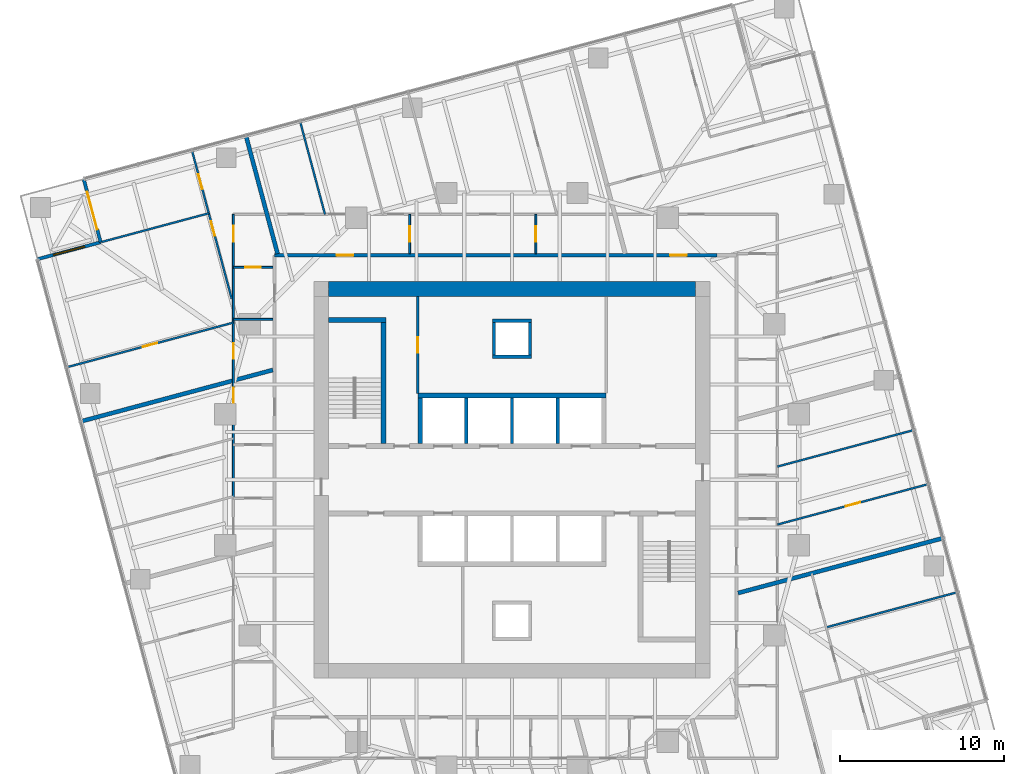
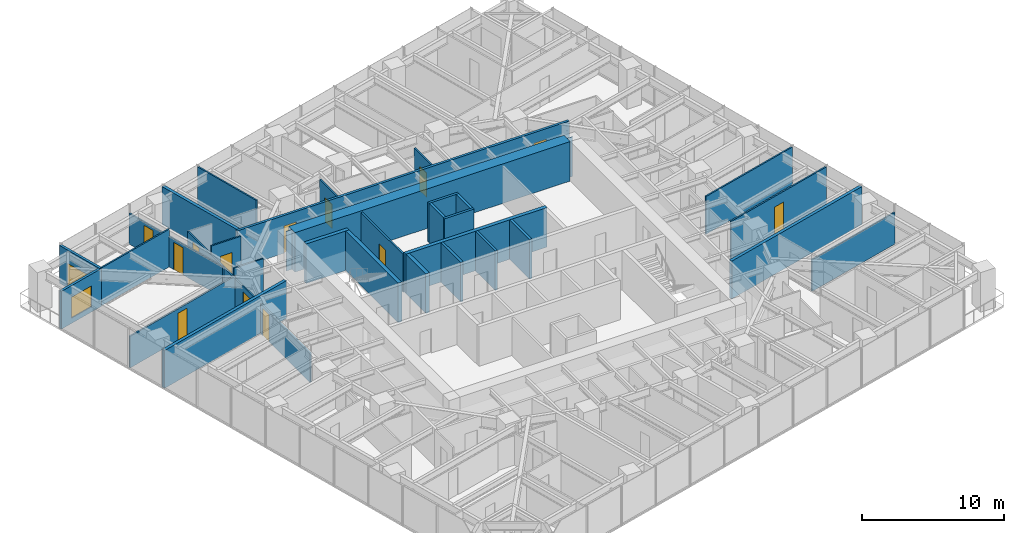
# One storey, part 11 of 14: 31 walls, 14 doors, 1 window, 15 openings.
"""IFC4 building model written with IfcOpenShell, lengths in metres."""

from ifc_helpers import new_model, si_unit, direction, frame, frame_2d, origin, place, context, subcontext, project, spatial, polyline, rectangle, outline, extrude, material, layer, layer_set, type_object, element, fill, save


model = new_model("IFC4")

# Units and contexts
model_context = context("Model", 3, precision=1e-05, world=origin(), true_north=direction((0.0, 1.0)))
body_context = subcontext(model_context, "Body", "Model", "MODEL_VIEW")
ifc_project = project(units=[si_unit("LENGTHUNIT", "METRE"), si_unit("AREAUNIT", "SQUARE_METRE"), si_unit("VOLUMEUNIT", "CUBIC_METRE"), si_unit("PLANEANGLEUNIT", "RADIAN"), si_unit("MASSUNIT", "GRAM", prefix="KILO")], contexts=[model_context])

# Site, building, storey
site_placement = place(None, origin())
site = spatial("IfcSite", under=ifc_project, at=site_placement, CompositionType="ELEMENT")
building_placement = place(site_placement, origin())
building = spatial("IfcBuilding", under=site, at=building_placement, Name="Torsade Residences", CompositionType="ELEMENT")
storey_placement = place(building_placement, frame((0.0, 0.0, 121.800048828125)))
storey = spatial("IfcBuildingStorey", under=building, at=storey_placement, Name="L33", CompositionType="ELEMENT", Elevation=121.800048828125)

# Walls
ifc_material_1 = material(Name="Concrete 80 MPa", Category="concrete")
ifc_layer_1 = layer(ifc_material_1, 0.300048828125)
ifc_layer_set_1 = layer_set([ifc_layer_1], Name="Concrete 80 MPa")
wall_type_1 = type_object("IfcWallType", Name="CORE INTERNAL WALL 300", PredefinedType="SHEAR", material=ifc_layer_set_1)
wall_1_placement = place(storey_placement, frame((34.25, 35.14990234375, 0.0), z_axis=(0.0, 0.0, 1.0), x_axis=(1.0, 0.0, 0.0)))
element("IfcWall", 1, at=wall_1_placement, inside=storey, type_object=wall_type_1, Name="Core wall BN L33", PredefinedType="SHEAR", context=body_context, shape_type="SweptSolid", body=[
    extrude(rectangle(XDim=11.5, YDim=0.300048828125, at=frame_2d((5.75, 0.0))), origin(), (0.0, 0.0, 1.0), 3.39990234375),
])
wall_2_placement = place(storey_placement, frame((34.39990234375, 32.199951171875, 0.0), z_axis=(0.0, 0.0, 1.0), x_axis=(0.0, 1.0, 0.0)))
element("IfcWall", 2, at=wall_2_placement, inside=storey, type_object=wall_type_1, Name="Core wall DN0 L33", PredefinedType="SHEAR", context=body_context, shape_type="SweptSolid", body=[
    extrude(rectangle(XDim=2.800048828125, YDim=0.300048828125, at=frame_2d((1.39990234375, 0.0))), origin(), (0.0, 0.0, 1.0), 3.39990234375),
])
wall_3_placement = place(storey_placement, frame((32.14990234375, 32.199951171875, 0.0), z_axis=(0.0, 0.0, 1.0), x_axis=(0.0, 1.0, 0.0)))
element("IfcWall", 3, at=wall_3_placement, inside=storey, type_object=wall_type_1, Name="Core wall ST1E L33", PredefinedType="SHEAR", context=body_context, shape_type="SweptSolid", body=[
    extrude(rectangle(XDim=7.699951171875, YDim=0.300048828125, at=frame_2d((3.85009765625, 0.0))), origin(), (0.0, 0.0, 1.0), 3.39990234375),
])
wall_4_placement = place(storey_placement, frame((28.800048828125, 39.75, 0.0), z_axis=(0.0, 0.0, 1.0), x_axis=(1.0, 0.0, 0.0)))
element("IfcWall", 4, at=wall_4_placement, inside=storey, type_object=wall_type_1, Name="Core wall ST1N L33", PredefinedType="SHEAR", context=body_context, shape_type="SweptSolid", body=[
    extrude(rectangle(XDim=3.5, YDim=0.300048828125, at=frame_2d((1.75, 0.0))), origin(), (0.0, 0.0, 1.0), 3.39990234375),
])
ifc_material_2 = material(Name="Concrete 80 MPa", Category="concrete")
ifc_layer_2 = layer(ifc_material_2, 0.89990234375)
ifc_layer_set_2 = layer_set([ifc_layer_2], Name="Concrete 80 MPa")
wall_type_2 = type_object("IfcWallType", Name="CORE WALL 900", PredefinedType="SHEAR", material=ifc_layer_set_2)
wall_5_placement = place(storey_placement, frame((28.800048828125, 41.64990234375, 0.0), z_axis=(0.0, 0.0, 1.0), x_axis=(1.0, 0.0, 0.0)))
element("IfcWall", 5, at=wall_5_placement, inside=storey, type_object=wall_type_2, Name="Core wall N L33", PredefinedType="SHEAR", context=body_context, shape_type="SweptSolid", body=[
    extrude(outline(polyline([(0.0, -0.449951171875), (22.39990234375, -0.449951171875), (22.39990234375, -0.02490234375), (22.849853515625, -0.02490234375), (22.849853515625, 0.02490234375), (22.39990234375, 0.02490234375), (22.39990234375, 0.449951171875), (0.0, 0.449951171875), (0.0, 0.02490234375), (-0.449951171875, 0.02490234375), (-0.449951171875, -0.02490234375), (0.0, -0.02490234375), (0.0, -0.449951171875)])), origin(), (0.0, 0.0, 1.0), 3.39990234375),
])

# Wall, openings, doors
ifc_material_3 = material(Name="Plasterboard on steel stud", Category="steel")
ifc_layer_3 = layer(ifc_material_3, 0.199951171875)
ifc_layer_set_3 = layer_set([ifc_layer_3], Name="Plasterboard on steel stud")
wall_type_3 = type_object("IfcWallType", Name="CORRIDOR WALL 200", PredefinedType="PARTITIONING", material=ifc_layer_set_3)
wall_6_placement = place(storey_placement, frame((52.52001953125, 43.699951171875, 0.0), z_axis=(0.0, 0.0, 1.0), x_axis=(-1.0, 0.0, 0.0)))
wall_6 = element("IfcWall", 6, at=wall_6_placement, inside=storey, type_object=wall_type_3, Name="Corridor wall L33", PredefinedType="PARTITIONING", context=body_context, shape_type="SweptSolid", body=[
    extrude(rectangle(XDim=27.02001953125, YDim=0.199951171875, at=frame_2d((13.510009765625, 0.0))), origin(), (0.0, 0.0, 1.0), 3.25),
])
opening_1_placement = place(wall_6_placement, frame((22.2080078125, 0.0, 0.0)))
opening_1 = element("IfcOpeningElement", 7, at=opening_1_placement, cuts=wall_6, Name="Opening D01", PredefinedType="OPENING", context=body_context, shape_type="SweptSolid", body=[
    extrude(rectangle(XDim=1.02001953125, YDim=2.340087890625, at=frame_2d((0.510009765625, 1.169921875))), frame((0.0, 0.10986328125, 0.0), z_axis=(0.0, -1.0, 0.0), x_axis=(1.0, 0.0, 0.0)), (0.0, 0.0, 1.0), 0.219970703125),
])
opening_2_placement = place(wall_6_placement, frame((1.855712890625, 0.0, 0.0)))
opening_2 = element("IfcOpeningElement", 8, at=opening_2_placement, cuts=wall_6, Name="Opening D01", PredefinedType="OPENING", context=body_context, shape_type="SweptSolid", body=[
    extrude(rectangle(XDim=1.02001953125, YDim=2.340087890625, at=frame_2d((0.510009765625, 1.169921875))), frame((0.0, 0.10986328125, 0.0), z_axis=(0.0, -1.0, 0.0), x_axis=(1.0, 0.0, 0.0)), (0.0, 0.0, 1.0), 0.219970703125),
])
ifc_material_4 = material(Name="Solid-core timber fire door", Category="wood")
door_type_1 = type_object("IfcDoorType", Name="APARTMENT ENTRY DOOR 1020x2340", OperationType="NOTDEFINED", PredefinedType="DOOR", material=ifc_material_4)
door_1_placement = place(opening_1_placement, origin())
door_1 = element("IfcDoor", 9, at=door_1_placement, inside=storey, type_object=door_type_1, Name="Door Residential corridor to Kitchen and dining", OperationType="SINGLE_SWING_LEFT", OverallHeight=2.340087890625, OverallWidth=1.02001953125, PredefinedType="DOOR", context=body_context, shape_type="SweptSolid", body=[
    extrude(rectangle(XDim=1.02001953125, YDim=2.340087890625, at=frame_2d((0.510009765625, 1.169921875))), frame((0.0, 0.02490234375, 0.0), z_axis=(0.0, -1.0, 0.0), x_axis=(1.0, 0.0, 0.0)), (0.0, 0.0, 1.0), 0.050048828125),
])
fill(opening_1, door_1)
door_2_placement = place(opening_2_placement, origin())
door_2 = element("IfcDoor", 10, at=door_2_placement, inside=storey, type_object=door_type_1, Name="Door Residential corridor to Kitchen and dining", OperationType="SINGLE_SWING_RIGHT", OverallHeight=2.340087890625, OverallWidth=1.02001953125, PredefinedType="DOOR", context=body_context, shape_type="SweptSolid", body=[
    extrude(rectangle(XDim=1.02001953125, YDim=2.340087890625, at=frame_2d((0.510009765625, 1.169921875))), frame((0.0, 0.02490234375, 0.0), z_axis=(0.0, -1.0, 0.0), x_axis=(1.0, 0.0, 0.0)), (0.0, 0.0, 1.0), 0.050048828125),
])
fill(opening_2, door_2)

# Walls
ifc_material_5 = material(Name="Reinforced blockwork", Category="masonry")
ifc_layer_4 = layer(ifc_material_5, 0.199951171875)
ifc_layer_set_4 = layer_set([ifc_layer_4], Name="Reinforced blockwork")
wall_type_4 = type_object("IfcWallType", Name="LIFT SHAFT DIVIDING WALL 200", PredefinedType="SOLIDWALL", material=ifc_layer_set_4)
for number, where, z_axis, x_axis, name in (
    (11, (37.199951171875, 32.199951171875, 0.0), (0.0, 0.0, 1.0), (0.0, 1.0, 0.0), "Core wall DN1 L33"),
    (12, (40.0, 32.199951171875, 0.0), (0.0, 0.0, 1.0), (0.0, 1.0, 0.0), "Core wall DN2 L33"),
    (13, (42.800048828125, 32.199951171875, 0.0), (0.0, 0.0, 1.0), (0.0, 1.0, 0.0), "Core wall DN3 L33"),
):
    element("IfcWall", number, at=place(storey_placement, frame(where, z_axis=z_axis, x_axis=x_axis)), inside=storey, type_object=wall_type_4, Name=name, PredefinedType="SOLIDWALL", context=body_context, shape_type="SweptSolid", body=[
        extrude(rectangle(XDim=2.800048828125, YDim=0.199951171875, at=frame_2d((1.39990234375, 0.0))), origin(), (0.0, 0.0, 1.0), 3.39990234375),
    ])
ifc_material_6 = material(Name="Plasterboard on steel stud", Category="steel")
ifc_layer_5 = layer(ifc_material_6, 0.1201171875)
ifc_layer_set_5 = layer_set([ifc_layer_5], Name="Plasterboard on steel stud")
wall_type_5 = type_object("IfcWallType", Name="PARTITION 120", PredefinedType="PARTITIONING", material=ifc_layer_set_5)
wall_7_placement = place(storey_placement, frame((67.163818359375, 23.129638671875, 0.0), z_axis=(0.0, 0.0, 1.0), x_axis=(-0.965929470378, -0.258805444794, 0.0)))
element("IfcWall", 14, at=wall_7_placement, inside=storey, type_object=wall_type_5, Name="Partition L33", PredefinedType="PARTITIONING", context=body_context, shape_type="SweptSolid", body=[
    extrude(rectangle(XDim=8.269287109375, YDim=0.1201171875, at=frame_2d((4.134765625, 0.0))), origin(), (0.0, 0.0, 1.0), 2.721923828125),
])

# Wall, opening, door
wall_8_placement = place(storey_placement, frame((56.199951171875, 27.266357421875, 0.0), z_axis=(0.0, 0.0, 1.0), x_axis=(0.965926072385, 0.25881812666, 0.0)))
wall_8 = element("IfcWall", 15, at=wall_8_placement, inside=storey, type_object=wall_type_5, Name="Partition L33", PredefinedType="PARTITIONING", context=body_context, shape_type="SweptSolid", body=[
    extrude(rectangle(XDim=9.519775390625, YDim=0.1201171875, at=frame_2d((4.759765625, 0.0))), origin(), (0.0, 0.0, 1.0), 3.25),
])
opening_3_placement = place(wall_8_placement, frame((4.31982421875, 0.0, 0.0)))
opening_3 = element("IfcOpeningElement", 16, at=opening_3_placement, cuts=wall_8, Name="Opening D02", PredefinedType="OPENING", context=body_context, shape_type="SweptSolid", body=[
    extrude(rectangle(XDim=0.919921875, YDim=2.340087890625, at=frame_2d((0.4599609375, 1.169921875))), frame((0.0, 0.070068359375, 0.0), z_axis=(0.0, -1.0, 0.0), x_axis=(1.0, 0.0, 0.0)), (0.0, 0.0, 1.0), 0.14013671875),
])
ifc_material_7 = material(Name="Hollow-core timber door", Category="wood")
door_type_2 = type_object("IfcDoorType", Name="INTERNAL DOOR 920x2340", OperationType="NOTDEFINED", PredefinedType="DOOR", material=ifc_material_7)
door_3_placement = place(opening_3_placement, origin())
door_3 = element("IfcDoor", 17, at=door_3_placement, inside=storey, type_object=door_type_2, Name="Door Living room to Bedroom 1", OperationType="SINGLE_SWING_LEFT", OverallHeight=2.340087890625, OverallWidth=0.919921875, PredefinedType="DOOR", context=body_context, shape_type="SweptSolid", body=[
    extrude(rectangle(XDim=0.919921875, YDim=2.340087890625, at=frame_2d((0.4599609375, 1.169921875))), frame((0.0, 0.02490234375, 0.0), z_axis=(0.0, -1.0, 0.0), x_axis=(1.0, 0.0, 0.0)), (0.0, 0.0, 1.0), 0.050048828125),
])
fill(opening_3, door_3)

# Wall
wall_9_placement = place(storey_placement, frame((56.199951171875, 30.803466796875, 0.0), z_axis=(0.0, 0.0, 1.0), x_axis=(0.965920565748, 0.258838676912, 0.0)))
element("IfcWall", 18, at=wall_9_placement, inside=storey, type_object=wall_type_5, Name="Partition L33", PredefinedType="PARTITIONING", context=body_context, shape_type="SweptSolid", body=[
    extrude(rectangle(XDim=8.60400390625, YDim=0.1201171875, at=frame_2d((4.302001953125, 0.0))), origin(), (0.0, 0.0, 1.0), 3.25),
])

# Wall, opening, door
wall_10_placement = place(storey_placement, frame((33.754150390625, 46.199951171875, 0.0), z_axis=(0.0, 0.0, 1.0), x_axis=(0.0, -1.0, 0.0)))
wall_10 = element("IfcWall", 19, at=wall_10_placement, inside=storey, type_object=wall_type_5, Name="Partition L33", PredefinedType="PARTITIONING", context=body_context, shape_type="SweptSolid", body=[
    extrude(rectangle(XDim=2.39990234375, YDim=0.1201171875, at=frame_2d((1.199951171875, 0.0))), origin(), (0.0, 0.0, 1.0), 3.25),
])
opening_4_placement = place(wall_10_placement, frame((0.719970703125, 0.0, 0.0)))
opening_4 = element("IfcOpeningElement", 20, at=opening_4_placement, cuts=wall_10, Name="Opening D05", PredefinedType="OPENING", context=body_context, shape_type="SweptSolid", body=[
    extrude(rectangle(XDim=0.9599609375, YDim=2.10009765625, at=frame_2d((0.47998046875, 1.050048828125))), frame((0.0, 0.070068359375, 0.0), z_axis=(0.0, -1.0, 0.0), x_axis=(1.0, 0.0, 0.0)), (0.0, 0.0, 1.0), 0.14013671875),
])
ifc_material_8 = material(Name="Hollow-core timber door in a steel cavity frame", Category="steel")
door_type_3 = type_object("IfcDoorType", Name="BATHROOM CAVITY SLIDING DOOR 960", OperationType="SLIDING_TO_LEFT", PredefinedType="DOOR", material=ifc_material_8)
door_4_placement = place(opening_4_placement, origin())
door_4 = element("IfcDoor", 21, at=door_4_placement, inside=storey, type_object=door_type_3, Name="Door Kitchen and dining to Bathroom", OperationType="SLIDING_TO_LEFT", OverallHeight=2.10009765625, OverallWidth=0.9599609375, PredefinedType="DOOR", context=body_context, shape_type="SweptSolid", body=[
    extrude(rectangle(XDim=0.9599609375, YDim=2.10009765625, at=frame_2d((0.47998046875, 1.050048828125))), frame((0.0, 0.02490234375, 0.0), z_axis=(0.0, -1.0, 0.0), x_axis=(1.0, 0.0, 0.0)), (0.0, 0.0, 1.0), 0.050048828125),
])
fill(opening_4, door_4)

wall_11_placement = place(storey_placement, frame((41.45263671875, 46.199951171875, 0.0), z_axis=(0.0, 0.0, 1.0), x_axis=(0.0, -1.0, 0.0)))
wall_11 = element("IfcWall", 22, at=wall_11_placement, inside=storey, type_object=wall_type_5, Name="Partition L33", PredefinedType="PARTITIONING", context=body_context, shape_type="SweptSolid", body=[
    extrude(rectangle(XDim=2.39990234375, YDim=0.1201171875, at=frame_2d((1.199951171875, 0.0))), origin(), (0.0, 0.0, 1.0), 3.25),
])
opening_5_placement = place(wall_11_placement, frame((0.719970703125, 0.0, 0.0)))
opening_5 = element("IfcOpeningElement", 23, at=opening_5_placement, cuts=wall_11, Name="Opening D05", PredefinedType="OPENING", context=body_context, shape_type="SweptSolid", body=[
    extrude(rectangle(XDim=0.9599609375, YDim=2.10009765625, at=frame_2d((0.47998046875, 1.050048828125))), frame((0.0, 0.070068359375, 0.0), z_axis=(0.0, -1.0, 0.0), x_axis=(1.0, 0.0, 0.0)), (0.0, 0.0, 1.0), 0.14013671875),
])
door_5_placement = place(opening_5_placement, origin())
door_5 = element("IfcDoor", 24, at=door_5_placement, inside=storey, type_object=door_type_3, Name="Door Bathroom to Ensuite", OperationType="SLIDING_TO_LEFT", OverallHeight=2.10009765625, OverallWidth=0.9599609375, PredefinedType="DOOR", context=body_context, shape_type="SweptSolid", body=[
    extrude(rectangle(XDim=0.9599609375, YDim=2.10009765625, at=frame_2d((0.47998046875, 1.050048828125))), frame((0.0, 0.02490234375, 0.0), z_axis=(0.0, -1.0, 0.0), x_axis=(1.0, 0.0, 0.0)), (0.0, 0.0, 1.0), 0.050048828125),
])
fill(opening_5, door_5)

# Walls
wall_12_placement = place(storey_placement, frame((28.584716796875, 46.199951171875, 0.0), z_axis=(0.0, 0.0, 1.0), x_axis=(-0.258790947109, 0.965933354686, 0.0)))
element("IfcWall", 25, at=wall_12_placement, inside=storey, type_object=wall_type_5, Name="Partition L33", PredefinedType="PARTITIONING", context=body_context, shape_type="SweptSolid", body=[
    extrude(rectangle(XDim=5.857421875, YDim=0.1201171875, at=frame_2d((2.9287109375, 0.0))), origin(), (0.0, 0.0, 1.0), 3.25),
])
wall_13_placement = place(storey_placement, frame((25.39990234375, 39.79541015625, 0.0), z_axis=(0.0, 0.0, 1.0), x_axis=(-1.0, 0.0, 0.0)))
element("IfcWall", 26, at=wall_13_placement, inside=storey, type_object=wall_type_5, Name="Partition L33", PredefinedType="PARTITIONING", context=body_context, shape_type="SweptSolid", body=[
    extrude(rectangle(XDim=2.39990234375, YDim=0.1201171875, at=frame_2d((1.199951171875, 0.0))), origin(), (0.0, 0.0, 1.0), 3.25),
])

# Wall, openings, doors
wall_14_placement = place(storey_placement, frame((23.0, 28.93017578125, 0.0), z_axis=(0.0, 0.0, 1.0), x_axis=(0.0, 1.0, 0.0)))
wall_14 = element("IfcWall", 27, at=wall_14_placement, inside=storey, type_object=wall_type_5, Name="Partition L33", PredefinedType="PARTITIONING", context=body_context, shape_type="SweptSolid", body=[
    extrude(rectangle(XDim=17.269775390625, YDim=0.1201171875, at=frame_2d((8.634765625, 0.0))), origin(), (0.0, 0.0, 1.0), 2.550048828125),
])
opening_6_placement = place(wall_14_placement, frame((5.771728515625, 0.0, 0.0)))
opening_6 = element("IfcOpeningElement", 28, at=opening_6_placement, cuts=wall_14, Name="Opening D02", PredefinedType="OPENING", context=body_context, shape_type="SweptSolid", body=[
    extrude(rectangle(XDim=0.919921875, YDim=2.340087890625, at=frame_2d((0.4599609375, 1.169921875))), frame((0.0, 0.070068359375, 0.0), z_axis=(0.0, -1.0, 0.0), x_axis=(1.0, 0.0, 0.0)), (0.0, 0.0, 1.0), 0.14013671875),
])
opening_7_placement = place(wall_14_placement, frame((15.5986328125, 0.0, 0.0)))
opening_7 = element("IfcOpeningElement", 29, at=opening_7_placement, cuts=wall_14, Name="Opening D05", PredefinedType="OPENING", context=body_context, shape_type="SweptSolid", body=[
    extrude(rectangle(XDim=0.9599609375, YDim=2.10009765625, at=frame_2d((0.47998046875, 1.050048828125))), frame((0.0, 0.070068359375, 0.0), z_axis=(0.0, -1.0, 0.0), x_axis=(1.0, 0.0, 0.0)), (0.0, 0.0, 1.0), 0.14013671875),
])
opening_8_placement = place(wall_14_placement, frame((8.440673828125, 0.0, 0.0)))
opening_8 = element("IfcOpeningElement", 30, at=opening_8_placement, cuts=wall_14, Name="Opening D05", PredefinedType="OPENING", context=body_context, shape_type="SweptSolid", body=[
    extrude(rectangle(XDim=0.9599609375, YDim=2.10009765625, at=frame_2d((0.47998046875, 1.050048828125))), frame((0.0, 0.070068359375, 0.0), z_axis=(0.0, -1.0, 0.0), x_axis=(1.0, 0.0, 0.0)), (0.0, 0.0, 1.0), 0.14013671875),
])
door_6_placement = place(opening_7_placement, origin())
door_6 = element("IfcDoor", 31, at=door_6_placement, inside=storey, type_object=door_type_3, Name="Door WC to Bedroom 3", OperationType="SLIDING_TO_LEFT", OverallHeight=2.10009765625, OverallWidth=0.9599609375, PredefinedType="DOOR", context=body_context, shape_type="SweptSolid", body=[
    extrude(rectangle(XDim=0.9599609375, YDim=2.10009765625, at=frame_2d((0.47998046875, 1.050048828125))), frame((0.0, 0.02490234375, 0.0), z_axis=(0.0, -1.0, 0.0), x_axis=(1.0, 0.0, 0.0)), (0.0, 0.0, 1.0), 0.050048828125),
])
fill(opening_7, door_6)
door_7_placement = place(opening_8_placement, origin())
door_7 = element("IfcDoor", 32, at=door_7_placement, inside=storey, type_object=door_type_3, Name="Door Bedroom 1 to Bathroom", OperationType="SLIDING_TO_LEFT", OverallHeight=2.10009765625, OverallWidth=0.9599609375, PredefinedType="DOOR", context=body_context, shape_type="SweptSolid", body=[
    extrude(rectangle(XDim=0.9599609375, YDim=2.10009765625, at=frame_2d((0.47998046875, 1.050048828125))), frame((0.0, 0.02490234375, 0.0), z_axis=(0.0, -1.0, 0.0), x_axis=(1.0, 0.0, 0.0)), (0.0, 0.0, 1.0), 0.050048828125),
])
fill(opening_8, door_7)
door_8_placement = place(opening_6_placement, origin())
door_8 = element("IfcDoor", 33, at=door_8_placement, inside=storey, type_object=door_type_2, Name="Door Kitchen and dining to Living room", OperationType="SINGLE_SWING_LEFT", OverallHeight=2.340087890625, OverallWidth=0.919921875, PredefinedType="DOOR", context=body_context, shape_type="SweptSolid", body=[
    extrude(rectangle(XDim=0.919921875, YDim=2.340087890625, at=frame_2d((0.4599609375, 1.169921875))), frame((0.0, 0.02490234375, 0.0), z_axis=(0.0, -1.0, 0.0), x_axis=(1.0, 0.0, 0.0)), (0.0, 0.0, 1.0), 0.050048828125),
])
fill(opening_6, door_8)

# Wall, opening, door
wall_15_placement = place(storey_placement, frame((23.0, 42.968017578125, 0.0), z_axis=(0.0, 0.0, 1.0), x_axis=(1.0, 0.0, 0.0)))
wall_15 = element("IfcWall", 34, at=wall_15_placement, inside=storey, type_object=wall_type_5, Name="Partition L33", PredefinedType="PARTITIONING", context=body_context, shape_type="SweptSolid", body=[
    extrude(rectangle(XDim=2.39990234375, YDim=0.1201171875, at=frame_2d((1.199951171875, 0.0))), origin(), (0.0, 0.0, 1.0), 3.25),
])
opening_9_placement = place(wall_15_placement, frame((0.719970703125, 0.0, 0.0)))
opening_9 = element("IfcOpeningElement", 35, at=opening_9_placement, cuts=wall_15, Name="Opening D05", PredefinedType="OPENING", context=body_context, shape_type="SweptSolid", body=[
    extrude(rectangle(XDim=0.9599609375, YDim=2.10009765625, at=frame_2d((0.47998046875, 1.050048828125))), frame((0.0, 0.070068359375, 0.0), z_axis=(0.0, -1.0, 0.0), x_axis=(1.0, 0.0, 0.0)), (0.0, 0.0, 1.0), 0.14013671875),
])
door_9_placement = place(opening_9_placement, origin())
door_9 = element("IfcDoor", 36, at=door_9_placement, inside=storey, type_object=door_type_3, Name="Door Kitchen and dining to WC", OperationType="SLIDING_TO_LEFT", OverallHeight=2.10009765625, OverallWidth=0.9599609375, PredefinedType="DOOR", context=body_context, shape_type="SweptSolid", body=[
    extrude(rectangle(XDim=0.9599609375, YDim=2.10009765625, at=frame_2d((0.47998046875, 1.050048828125))), frame((0.0, 0.02490234375, 0.0), z_axis=(0.0, -1.0, 0.0), x_axis=(1.0, 0.0, 0.0)), (0.0, 0.0, 1.0), 0.050048828125),
])
fill(opening_9, door_9)

wall_16_placement = place(storey_placement, frame((23.0, 39.59375, 0.0), z_axis=(0.0, 0.0, 1.0), x_axis=(-0.9659257847, -0.258819200315, 0.0)))
wall_16 = element("IfcWall", 37, at=wall_16_placement, inside=storey, type_object=wall_type_5, Name="Partition L33", PredefinedType="PARTITIONING", context=body_context, shape_type="SweptSolid", body=[
    extrude(rectangle(XDim=10.5224609375, YDim=0.1201171875, at=frame_2d((5.26123046875, 0.0))), origin(), (0.0, 0.0, 1.0), 2.721923828125),
])
opening_10_placement = place(wall_16_placement, frame((4.821044921875, 0.0, 0.0)))
opening_10 = element("IfcOpeningElement", 38, at=opening_10_placement, cuts=wall_16, Name="Opening D02", PredefinedType="OPENING", context=body_context, shape_type="SweptSolid", body=[
    extrude(rectangle(XDim=0.919921875, YDim=2.340087890625, at=frame_2d((0.4599609375, 1.169921875))), frame((0.0, 0.070068359375, 0.0), z_axis=(0.0, -1.0, 0.0), x_axis=(1.0, 0.0, 0.0)), (0.0, 0.0, 1.0), 0.14013671875),
])
door_10_placement = place(opening_10_placement, origin())
door_10 = element("IfcDoor", 39, at=door_10_placement, inside=storey, type_object=door_type_2, Name="Door Living room to Bedroom 1", OperationType="SINGLE_SWING_RIGHT", OverallHeight=2.340087890625, OverallWidth=0.919921875, PredefinedType="DOOR", context=body_context, shape_type="SweptSolid", body=[
    extrude(rectangle(XDim=0.919921875, YDim=2.340087890625, at=frame_2d((0.4599609375, 1.169921875))), frame((0.0, 0.02490234375, 0.0), z_axis=(0.0, -1.0, 0.0), x_axis=(1.0, 0.0, 0.0)), (0.0, 0.0, 1.0), 0.050048828125),
])
fill(opening_10, door_10)

# Wall
wall_17_placement = place(storey_placement, frame((14.931396484375, 44.506103515625, 0.0), z_axis=(0.0, 0.0, 1.0), x_axis=(0.965922865286, 0.258830095464, 0.0)))
element("IfcWall", 40, at=wall_17_placement, inside=storey, type_object=wall_type_5, Name="Partition L33", PredefinedType="PARTITIONING", context=body_context, shape_type="SweptSolid", body=[
    extrude(rectangle(XDim=6.793212890625, YDim=0.1201171875, at=frame_2d((3.396484375, 0.0))), origin(), (0.0, 0.0, 1.0), 3.25),
])

# Wall, openings, doors
wall_18_placement = place(storey_placement, frame((20.46826171875, 50.08935546875, 0.0), z_axis=(0.0, 0.0, 1.0), x_axis=(0.25881390457, -0.965927203676, 0.0)))
wall_18 = element("IfcWall", 41, at=wall_18_placement, inside=storey, type_object=wall_type_5, Name="Partition L33", PredefinedType="PARTITIONING", context=body_context, shape_type="SweptSolid", body=[
    extrude(rectangle(XDim=9.356689453125, YDim=0.1201171875, at=frame_2d((4.67822265625, 0.0))), origin(), (0.0, 0.0, 1.0), 2.637939453125),
])
opening_11_placement = place(wall_18_placement, frame((4.4609375, 0.0, 0.0)))
opening_11 = element("IfcOpeningElement", 42, at=opening_11_placement, cuts=wall_18, Name="Opening D02", PredefinedType="OPENING", context=body_context, shape_type="SweptSolid", body=[
    extrude(rectangle(XDim=0.919921875, YDim=2.340087890625, at=frame_2d((0.4599609375, 1.169921875))), frame((0.0, 0.070068359375, 0.0), z_axis=(0.0, -1.0, 0.0), x_axis=(1.0, 0.0, 0.0)), (0.0, 0.0, 1.0), 0.14013671875),
])
opening_12_placement = place(wall_18_placement, frame((1.5, 0.0, 0.0)))
opening_12 = element("IfcOpeningElement", 43, at=opening_12_placement, cuts=wall_18, Name="Opening D02", PredefinedType="OPENING", context=body_context, shape_type="SweptSolid", body=[
    extrude(rectangle(XDim=0.919921875, YDim=2.340087890625, at=frame_2d((0.4599609375, 1.169921875))), frame((0.0, 0.070068359375, 0.0), z_axis=(0.0, -1.0, 0.0), x_axis=(1.0, 0.0, 0.0)), (0.0, 0.0, 1.0), 0.14013671875),
])
door_11_placement = place(opening_11_placement, origin())
door_11 = element("IfcDoor", 44, at=door_11_placement, inside=storey, type_object=door_type_2, Name="Door Bedroom 3 to Living room", OperationType="SINGLE_SWING_LEFT", OverallHeight=2.340087890625, OverallWidth=0.919921875, PredefinedType="DOOR", context=body_context, shape_type="SweptSolid", body=[
    extrude(rectangle(XDim=0.919921875, YDim=2.340087890625, at=frame_2d((0.4599609375, 1.169921875))), frame((0.0, 0.02490234375, 0.0), z_axis=(0.0, -1.0, 0.0), x_axis=(1.0, 0.0, 0.0)), (0.0, 0.0, 1.0), 0.050048828125),
])
fill(opening_11, door_11)
door_12_placement = place(opening_12_placement, origin())
door_12 = element("IfcDoor", 45, at=door_12_placement, inside=storey, type_object=door_type_2, Name="Door Bedroom 3 to Bedroom 2", OperationType="SINGLE_SWING_LEFT", OverallHeight=2.340087890625, OverallWidth=0.919921875, PredefinedType="DOOR", context=body_context, shape_type="SweptSolid", body=[
    extrude(rectangle(XDim=0.919921875, YDim=2.340087890625, at=frame_2d((0.4599609375, 1.169921875))), frame((0.0, 0.02490234375, 0.0), z_axis=(0.0, -1.0, 0.0), x_axis=(1.0, 0.0, 0.0)), (0.0, 0.0, 1.0), 0.050048828125),
])
fill(opening_12, door_12)

# Walls
ifc_material_9 = material(Name="Masonry-lined stud party wall", Category="masonry")
ifc_layer_6 = layer(ifc_material_9, 0.25)
ifc_layer_set_6 = layer_set([ifc_layer_6], Name="Masonry-lined stud party wall")
wall_type_6 = type_object("IfcWallType", Name="PARTY WALL 250", PredefinedType="PARTITIONING", material=ifc_layer_set_6)
wall_19_placement = place(storey_placement, frame((23.75830078125, 51.01220703125, 0.0), z_axis=(0.0, 0.0, 1.0), x_axis=(0.258805213744, -0.965929532284, 0.0)))
element("IfcWall", 46, at=wall_19_placement, inside=storey, type_object=wall_type_6, Name="Party wall L33", PredefinedType="PARTITIONING", context=body_context, shape_type="SweptSolid", body=[
    extrude(rectangle(XDim=7.47314453125, YDim=0.25, at=frame_2d((3.736572265625, 0.0))), origin(), (0.0, 0.0, 1.0), 3.25),
])
wall_20_placement = place(storey_placement, frame((66.318115234375, 26.4404296875, 0.0), z_axis=(0.0, 0.0, 1.0), x_axis=(-0.965924854576, -0.258822671559, 0.0)))
element("IfcWall", 47, at=wall_20_placement, inside=storey, type_object=wall_type_6, Name="Party wall L33", PredefinedType="PARTITIONING", context=body_context, shape_type="SweptSolid", body=[
    extrude(rectangle(XDim=12.96630859375, YDim=0.25, at=frame_2d((6.483154296875, 0.0))), origin(), (0.0, 0.0, 1.0), 3.25),
])
wall_21_placement = place(storey_placement, frame((13.681884765625, 33.5595703125, 0.0), z_axis=(0.0, 0.0, 1.0), x_axis=(0.965924438766, 0.258824223352, 0.0)))
element("IfcWall", 48, at=wall_21_placement, inside=storey, type_object=wall_type_6, Name="Party wall L33", PredefinedType="PARTITIONING", context=body_context, shape_type="SweptSolid", body=[
    extrude(rectangle(XDim=12.137939453125, YDim=0.25, at=frame_2d((6.06884765625, 0.0))), origin(), (0.0, 0.0, 1.0), 3.25),
])
ifc_material_10 = material(Name="Reinforced blockwork", Category="masonry")
ifc_layer_7 = layer(ifc_material_10, 0.199951171875)
ifc_layer_set_7 = layer_set([ifc_layer_7], Name="Reinforced blockwork")
wall_type_7 = type_object("IfcWallType", Name="RISER SHAFT WALL 200", PredefinedType="SOLIDWALL", material=ifc_layer_set_7)
for number, where, z_axis, x_axis, name in (
    (49, (38.89990234375, 37.60009765625, 0.0), (0.0, 0.0, 1.0), (0.0, 1.0, 0.0), "Core wall RS1a L33"),
    (50, (41.10009765625, 37.60009765625, 0.0), (0.0, 0.0, 1.0), (0.0, 1.0, 0.0), "Core wall RS1b L33"),
):
    element("IfcWall", number, at=place(storey_placement, frame(where, z_axis=z_axis, x_axis=x_axis)), inside=storey, type_object=wall_type_7, Name=name, PredefinedType="SOLIDWALL", context=body_context, shape_type="SweptSolid", body=[
        extrude(rectangle(XDim=2.0, YDim=0.199951171875, at=frame_2d((1.0, 0.0))), origin(), (0.0, 0.0, 1.0), 3.39990234375),
    ])
for number, where, z_axis, x_axis, name in (
    (51, (38.800048828125, 37.5, 0.0), (0.0, 0.0, 1.0), (1.0, 0.0, 0.0), "Core wall RS1c L33"),
    (52, (38.800048828125, 39.699951171875, 0.0), (0.0, 0.0, 1.0), (1.0, 0.0, 0.0), "Core wall RS1d L33"),
):
    element("IfcWall", number, at=place(storey_placement, frame(where, z_axis=z_axis, x_axis=x_axis)), inside=storey, type_object=wall_type_7, Name=name, PredefinedType="SOLIDWALL", context=body_context, shape_type="SweptSolid", body=[
        extrude(rectangle(XDim=2.39990234375, YDim=0.199951171875, at=frame_2d((1.199951171875, 0.0))), origin(), (0.0, 0.0, 1.0), 3.39990234375),
    ])

# Wall, opening, door
ifc_material_11 = material(Name="Reinforced blockwork", Category="masonry")
ifc_layer_8 = layer(ifc_material_11, 0.14990234375)
ifc_layer_set_8 = layer_set([ifc_layer_8], Name="Reinforced blockwork")
wall_type_8 = type_object("IfcWallType", Name="SERVICE ROOM WALL 150", PredefinedType="SOLIDWALL", material=ifc_layer_set_8)
wall_22_placement = place(storey_placement, frame((34.25, 41.199951171875, 0.0), z_axis=(0.0, 0.0, 1.0), x_axis=(0.0, -1.0, 0.0)))
wall_22 = element("IfcWall", 53, at=wall_22_placement, inside=storey, type_object=wall_type_8, Name="Service room wall L33", PredefinedType="SOLIDWALL", context=body_context, shape_type="SweptSolid", body=[
    extrude(rectangle(XDim=5.949951171875, YDim=0.14990234375, at=frame_2d((2.97509765625, 0.0))), origin(), (0.0, 0.0, 1.0), 3.25),
])
opening_13_placement = place(wall_22_placement, frame((2.514892578125, 0.0, 0.0)))
opening_13 = element("IfcOpeningElement", 54, at=opening_13_placement, cuts=wall_22, Name="Opening D06", PredefinedType="OPENING", context=body_context, shape_type="SweptSolid", body=[
    extrude(rectangle(XDim=0.919921875, YDim=2.10009765625, at=frame_2d((0.4599609375, 1.050048828125))), frame((0.0, 0.0849609375, 0.0), z_axis=(0.0, -1.0, 0.0), x_axis=(1.0, 0.0, 0.0)), (0.0, 0.0, 1.0), 0.169921875),
])
ifc_material_12 = material(Name="Steel-framed fire door", Category="steel")
door_type_4 = type_object("IfcDoorType", Name="FIRE DOOR 920", OperationType="NOTDEFINED", PredefinedType="DOOR", material=ifc_material_12)
door_13_placement = place(opening_13_placement, origin())
door_13 = element("IfcDoor", 55, at=door_13_placement, inside=storey, type_object=door_type_4, Name="Door Meter store to Electrical riser room", OperationType="SINGLE_SWING_RIGHT", OverallHeight=2.10009765625, OverallWidth=0.919921875, PredefinedType="DOOR", context=body_context, shape_type="SweptSolid", body=[
    extrude(rectangle(XDim=0.919921875, YDim=2.10009765625, at=frame_2d((0.4599609375, 1.050048828125))), frame((0.0, 0.02490234375, 0.0), z_axis=(0.0, -1.0, 0.0), x_axis=(1.0, 0.0, 0.0)), (0.0, 0.0, 1.0), 0.050048828125),
])
fill(opening_13, door_13)

ifc_material_13 = material(Name="Stone-faced precast concrete 40 MPa panel", Category="masonry")
ifc_layer_9 = layer(ifc_material_13, 0.199951171875)
ifc_layer_set_9 = layer_set([ifc_layer_9], Name="Stone-faced precast concrete 40 MPa panel")
wall_type_9 = type_object("IfcWallType", Name="TERRACE WALL 200", PredefinedType="SOLIDWALL", material=ifc_layer_set_9)
wall_23_placement = place(storey_placement, frame((13.857421875, 48.359375, 0.0), z_axis=(0.0, 0.0, 1.0), x_axis=(0.258843877716, -0.965919172068, 0.0)))
wall_23 = element("IfcWall", 56, at=wall_23_placement, inside=storey, type_object=wall_type_9, Name="Terrace wall L33 8", PredefinedType="SOLIDWALL", context=body_context, shape_type="SweptSolid", body=[
    extrude(rectangle(XDim=4.0, YDim=0.199951171875, at=frame_2d((2.0, 0.0))), origin(), (0.0, 0.0, 1.0), 3.25),
])
opening_14_placement = place(wall_23_placement, frame((0.800048828125, 0.0, 0.0)))
opening_14 = element("IfcOpeningElement", 57, at=opening_14_placement, cuts=wall_23, Name="Opening D10A", PredefinedType="OPENING", context=body_context, shape_type="SweptSolid", body=[
    extrude(rectangle(XDim=2.39990234375, YDim=2.10009765625, at=frame_2d((1.199951171875, 1.050048828125))), frame((0.0, 0.10986328125, 0.0), z_axis=(0.0, -1.0, 0.0), x_axis=(1.0, 0.0, 0.0)), (0.0, 0.0, 1.0), 0.219970703125),
])
ifc_material_14 = material(Name="Aluminium-framed glass door", Category="aluminium")
door_type_5 = type_object("IfcDoorType", Name="TERRACE SLIDING DOOR 2400x2100", OperationType="SLIDING_TO_LEFT", PredefinedType="DOOR", material=ifc_material_14)
door_14_placement = place(opening_14_placement, origin())
door_14 = element("IfcDoor", 58, at=door_14_placement, inside=storey, type_object=door_type_5, Name="Terrace door L33 8", OperationType="SLIDING_TO_LEFT", OverallHeight=2.10009765625, OverallWidth=2.39990234375, PredefinedType="DOOR", context=body_context, shape_type="SweptSolid", body=[
    extrude(rectangle(XDim=2.39990234375, YDim=2.10009765625, at=frame_2d((1.199951171875, 1.050048828125))), frame((0.0, 0.02490234375, 0.0), z_axis=(0.0, -1.0, 0.0), x_axis=(1.0, 0.0, 0.0)), (0.0, 0.0, 1.0), 0.050048828125),
])
fill(opening_14, door_14)

# Wall, opening, window
wall_24_placement = place(storey_placement, frame((14.892822265625, 44.49560546875, 0.0), z_axis=(0.0, 0.0, 1.0), x_axis=(-0.965934430412, -0.258786931944, 0.0)))
wall_24 = element("IfcWall", 59, at=wall_24_placement, inside=storey, type_object=wall_type_9, Name="Terrace wall L33 9", PredefinedType="SOLIDWALL", context=body_context, shape_type="SweptSolid", body=[
    extrude(rectangle(XDim=4.0, YDim=0.199951171875, at=frame_2d((2.0, 0.0))), origin(), (0.0, 0.0, 1.0), 3.25),
])
opening_15_placement = place(wall_24_placement, frame((1.0, 0.0, 0.449951171875)))
opening_15 = element("IfcOpeningElement", 60, at=opening_15_placement, cuts=wall_24, Name="Opening W1B", PredefinedType="OPENING", context=body_context, shape_type="SweptSolid", body=[
    extrude(rectangle(XDim=2.0, YDim=1.800048828125, at=frame_2d((1.0, 0.89990234375))), frame((0.0, 0.10986328125, 0.0), z_axis=(0.0, -1.0, 0.0), x_axis=(1.0, 0.0, 0.0)), (0.0, 0.0, 1.0), 0.219970703125),
])
ifc_material_15 = material(Name="Aluminium-framed glass window", Category="aluminium")
window_type = type_object("IfcWindowType", Name="TERRACE WINDOW 2000x1800", PartitioningType="SINGLE_PANEL", PredefinedType="WINDOW", material=ifc_material_15)
window_placement = place(opening_15_placement, origin())
window = element("IfcWindow", 61, at=window_placement, inside=storey, type_object=window_type, Name="Terrace window L33 9", OverallHeight=1.800048828125, OverallWidth=2.0, PartitioningType="SINGLE_PANEL", PredefinedType="WINDOW", context=body_context, shape_type="SweptSolid", body=[
    extrude(rectangle(XDim=2.0, YDim=1.800048828125, at=frame_2d((1.0, 0.89990234375))), frame((0.0, 0.030029296875, 0.0), z_axis=(0.0, -1.0, 0.0), x_axis=(1.0, 0.0, 0.0)), (0.0, 0.0, 1.0), 0.06005859375),
])
fill(opening_15, window)

save(model, "model.ifc")
